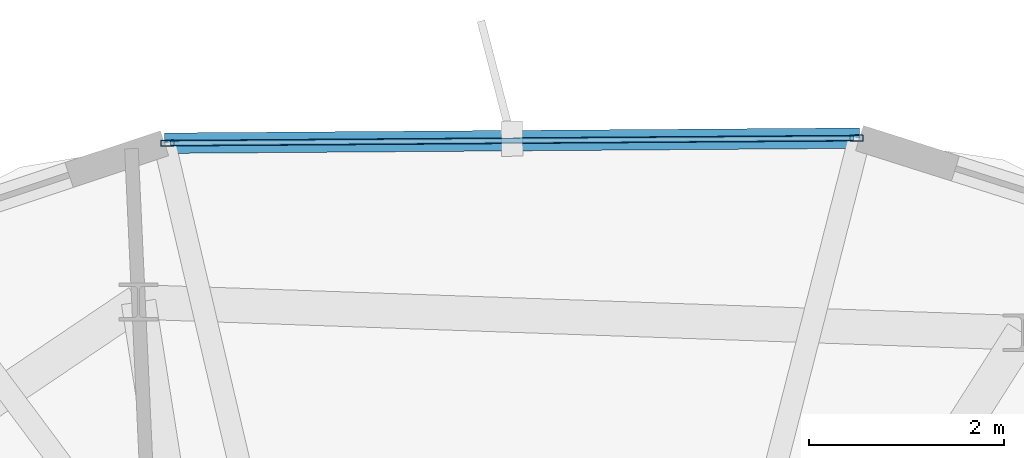
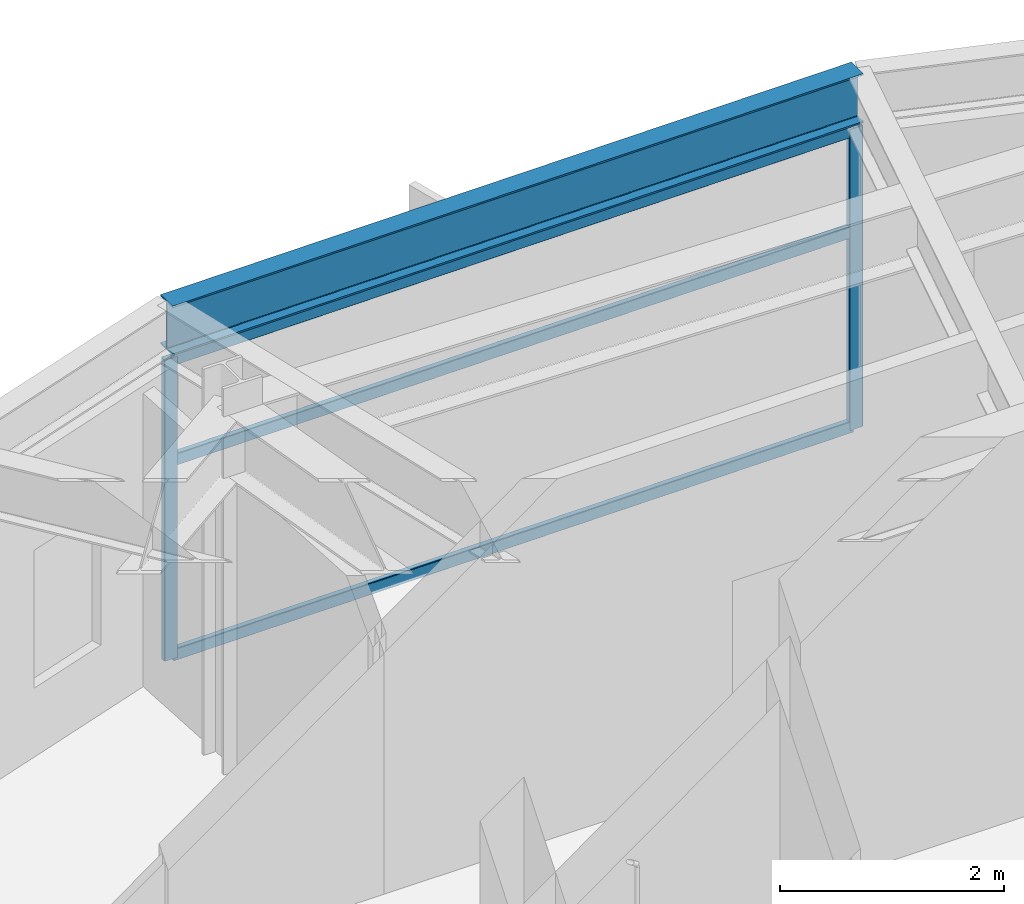
# One storey, part 16 of 22: 5 members, 1 beam, 1 element without a shape of its own.
"""IFC4 building model written with IfcOpenShell, lengths in metres."""

from ifc_helpers import new_model, si_unit, direction, frame, origin, origin_2d, place, context, subcontext, project, spatial, hollow_rectangle, i_section, extrude, material, layer, layer_set, material_profile, profile_set, type_object, element, aggregate, save


model = new_model("IFC4")

# Units and contexts
model_context = context("Model", 3, precision=1e-05, world=origin(), true_north=direction((0.0, 1.0)))
body_context = subcontext(model_context, "Body", "Model", "MODEL_VIEW")
ifc_project = project(units=[si_unit("LENGTHUNIT", "METRE"), si_unit("AREAUNIT", "SQUARE_METRE"), si_unit("VOLUMEUNIT", "CUBIC_METRE"), si_unit("PLANEANGLEUNIT", "RADIAN"), si_unit("MASSUNIT", "GRAM", prefix="KILO")], contexts=[model_context])

# Site, building, storey
site_placement = place(None, origin())
site = spatial("IfcSite", under=ifc_project, at=site_placement, CompositionType="ELEMENT")
building_placement = place(site_placement, origin())
building = spatial("IfcBuilding", under=site, at=building_placement, Name="Soratama Intermodal Tower", CompositionType="ELEMENT")
storey_placement = place(building_placement, frame((0.0, 0.0, 301.449951171875)))
storey = spatial("IfcBuildingStorey", under=building, at=storey_placement, Name="L76", CompositionType="ELEMENT", Elevation=301.449951171875)

# Beam
ifc_material_1 = material(Name="Structural steel ASTM A992 Grade 50", Category="steel")
ifc_material_profile_1 = material_profile(ifc_material_1, i_section(OverallWidth=0.2099609375, OverallDepth=0.537109375, WebThickness=0.010986328125, FlangeThickness=0.017333984375, FilletRadius=0.012939453125, at=origin_2d()), Name="W21X68")
ifc_profile_set_1 = profile_set([ifc_material_profile_1], Name="Structural steel ASTM A992 Grade 50")
beam_type = type_object("IfcBeamType", Name="BM-SPN-W21X68", PredefinedType="SPANDREL", material=ifc_profile_set_1)
beam_placement = place(storey_placement, frame((45.35400390625, 40.81298828125, 3.62646484375), z_axis=(-0.999973477853, -0.007283103121, 0.0), x_axis=(0.007283103121, -0.999973477853, 0.0)))
element("IfcBeam", 1, at=beam_placement, inside=storey, type_object=beam_type, Name="BS-L76-F01", PredefinedType="SPANDREL", context=body_context, shape_type="SweptSolid", body=[
    extrude(i_section(OverallWidth=0.2099609375, OverallDepth=0.537109375, WebThickness=0.010986328125, FlangeThickness=0.017333984375, FilletRadius=0.012939453125, at=origin_2d()), origin(), (0.0, 0.0, 1.0), 7.14013671875),
])

# Curtain wall, members
ifc_material_2 = material(Name="Double-glazed aluminium curtain wall", Category="aluminium")
ifc_layer = layer(ifc_material_2, 0.159912109375)
ifc_layer_set = layer_set([ifc_layer], Name="Double-glazed aluminium curtain wall")
curtain_wall_type = type_object("IfcCurtainWallType", Name="CW-SYS-6", PredefinedType="NOTDEFINED", material=ifc_layer_set)
curtain_wall_placement = place(storey_placement, origin())
curtain_wall = element("IfcCurtainWall", 2, at=curtain_wall_placement, inside=storey, type_object=curtain_wall_type, Name="L76 Faceted Curtain Wall F01", PredefinedType="NOTDEFINED")
ifc_material_3 = material(Name="Anodised aluminium AA 6063-T6", Category="aluminium")
ifc_material_profile_2 = material_profile(ifc_material_3, hollow_rectangle(XDim=0.06494140625, YDim=0.139892578125, WallThickness=0.0048828125, InnerFilletRadius=0.0048828125, OuterFilletRadius=0.010009765625, at=origin_2d()), Name="CWM140X65X5")
ifc_profile_set_2 = profile_set([ifc_material_profile_2], Name="Anodised aluminium AA 6063-T6")
member_type_1 = type_object("IfcMemberType", Name="MT-CWM-6", PredefinedType="MULLION", material=ifc_profile_set_2)
member_1_placement = place(storey_placement, frame((45.32421875, 40.81298828125, 0.0), z_axis=(0.0, 0.0, 1.0), x_axis=(0.007338840732, -0.999973070346, 0.0)))
member_1 = element("IfcMember", 3, at=member_1_placement, type_object=member_type_1, Name="CW-6 mullion 1", PredefinedType="MULLION", context=body_context, shape_type="SweptSolid", body=[
    extrude(hollow_rectangle(XDim=0.06494140625, YDim=0.139892578125, WallThickness=0.0048828125, InnerFilletRadius=0.0048828125, OuterFilletRadius=0.010009765625, at=origin_2d()), origin(), (0.0, 0.0, 1.0), 3.274169921875),
])
member_2_placement = place(storey_placement, frame((38.244384765625, 40.76123046875, 0.0), z_axis=(0.0, 0.0, 1.0), x_axis=(0.007338840732, -0.999973070346, 0.0)))
member_2 = element("IfcMember", 4, at=member_2_placement, type_object=member_type_1, Name="CW-6 mullion 2", PredefinedType="MULLION", context=body_context, shape_type="SweptSolid", body=[
    extrude(hollow_rectangle(XDim=0.06494140625, YDim=0.139892578125, WallThickness=0.0048828125, InnerFilletRadius=0.0048828125, OuterFilletRadius=0.010009765625, at=origin_2d()), origin(), (0.0, 0.0, 1.0), 3.274169921875),
])
ifc_material_4 = material(Name="Anodised aluminium AA 6063-T6", Category="aluminium")
ifc_material_profile_3 = material_profile(ifc_material_4, hollow_rectangle(XDim=0.06005859375, YDim=0.1298828125, WallThickness=0.0048828125, InnerFilletRadius=0.0048828125, OuterFilletRadius=0.010009765625, at=origin_2d()), Name="CWT130X60X5")
ifc_profile_set_3 = profile_set([ifc_material_profile_3], Name="Anodised aluminium AA 6063-T6")
member_type_2 = type_object("IfcMemberType", Name="TT-CWT-2", PredefinedType="USERDEFINED", material=ifc_profile_set_3)
member_3_placement = place(storey_placement, frame((45.294189453125, 40.812744140625, 0.030029296875), z_axis=(-0.999973075289, -0.007338167109, 0.0), x_axis=(0.007338167109, -0.999973075289, 0.0)))
member_3 = element("IfcMember", 5, at=member_3_placement, type_object=member_type_2, Name="CW-6 transom 1.1", ObjectType="TRANSOM", PredefinedType="USERDEFINED", context=body_context, shape_type="SweptSolid", body=[
    extrude(hollow_rectangle(XDim=0.06005859375, YDim=0.1298828125, WallThickness=0.0048828125, InnerFilletRadius=0.0048828125, OuterFilletRadius=0.010009765625, at=origin_2d()), origin(), (0.0, 0.0, 1.0), 7.02001953125),
])
member_4_placement = place(storey_placement, frame((45.294189453125, 40.812744140625, 2.150146484375), z_axis=(-0.999973075289, -0.007338167109, 0.0), x_axis=(0.007338167109, -0.999973075289, 0.0)))
member_4 = element("IfcMember", 6, at=member_4_placement, type_object=member_type_2, Name="CW-6 transom 1.2", ObjectType="TRANSOM", PredefinedType="USERDEFINED", context=body_context, shape_type="SweptSolid", body=[
    extrude(hollow_rectangle(XDim=0.06005859375, YDim=0.1298828125, WallThickness=0.0048828125, InnerFilletRadius=0.0048828125, OuterFilletRadius=0.010009765625, at=origin_2d()), origin(), (0.0, 0.0, 1.0), 7.02001953125),
])
member_5_placement = place(storey_placement, frame((45.294189453125, 40.812744140625, 3.244140625), z_axis=(-0.999973075289, -0.007338167109, 0.0), x_axis=(0.007338167109, -0.999973075289, 0.0)))
member_5 = element("IfcMember", 7, at=member_5_placement, type_object=member_type_2, Name="CW-6 transom 1.3", ObjectType="TRANSOM", PredefinedType="USERDEFINED", context=body_context, shape_type="SweptSolid", body=[
    extrude(hollow_rectangle(XDim=0.06005859375, YDim=0.1298828125, WallThickness=0.0048828125, InnerFilletRadius=0.0048828125, OuterFilletRadius=0.010009765625, at=origin_2d()), origin(), (0.0, 0.0, 1.0), 7.02001953125),
])
aggregate(curtain_wall, [member_1, member_2, member_3, member_4, member_5])

save(model, "model.ifc")
